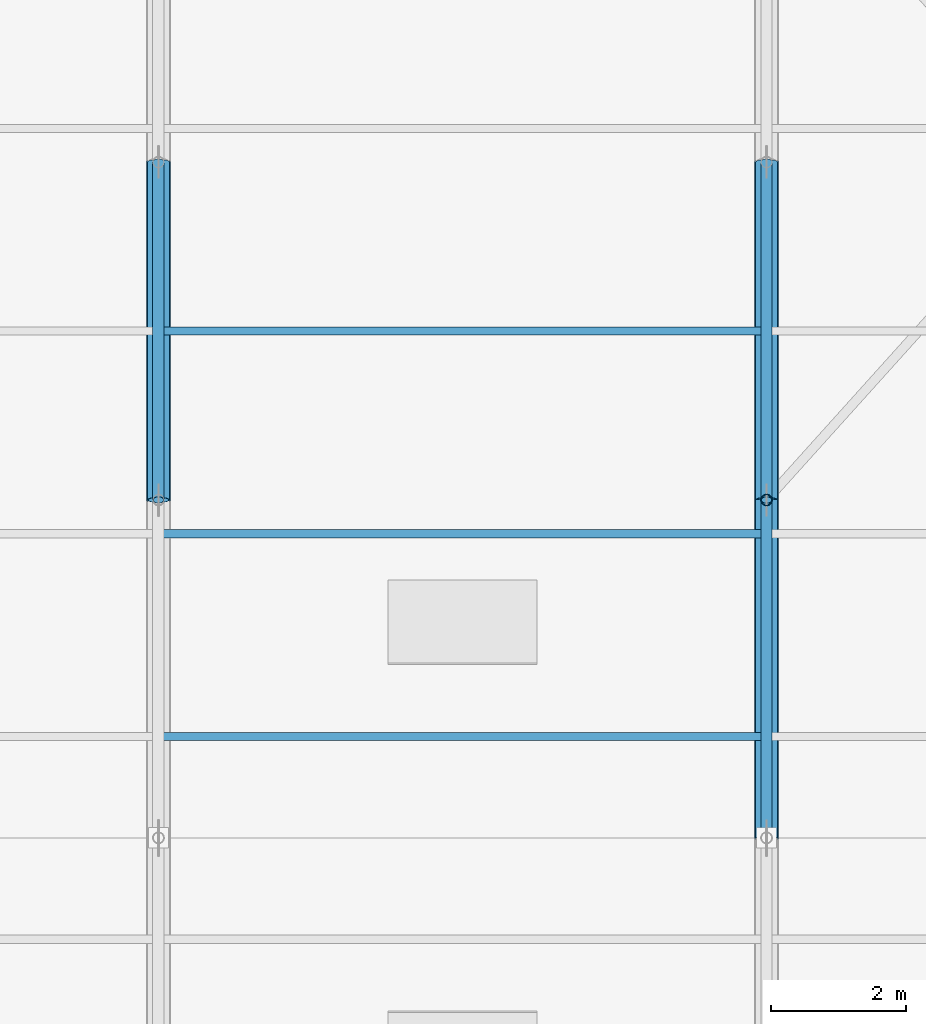
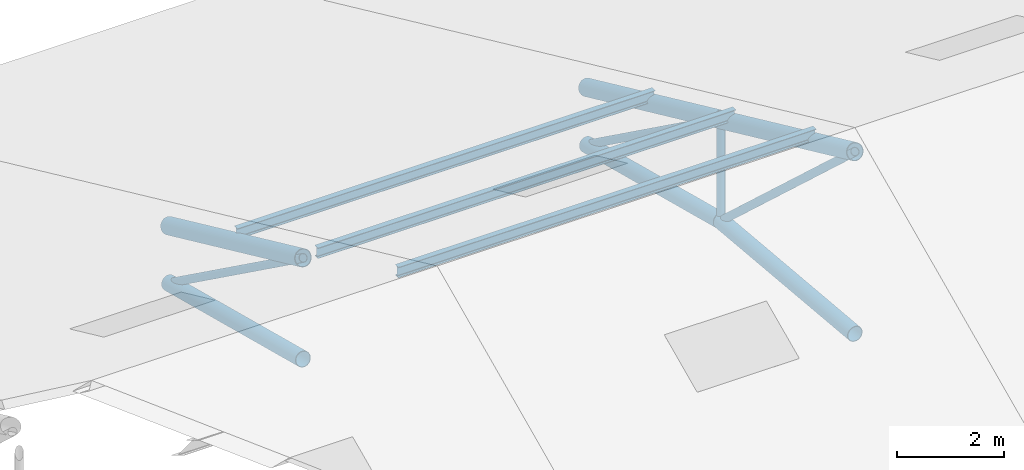
# One storey, part 36 of 107: 13 members.
"""IFC4 building model written with IfcOpenShell, lengths in metres."""

from ifc_helpers import new_model, si_unit, derived_unit, direction, frame, origin, origin_2d, place, context, subcontext, project, spatial, hollow_circle, i_section, extrude, material, material_profile, profile_set, type_object, element, save


model = new_model("IFC4")

# Units and contexts
model_context = context("Model", 3, precision=1e-05, world=origin(), true_north=direction((0.0, 1.0)))
body_context = subcontext(model_context, "Body", "Model", "MODEL_VIEW")
ifc_project = project(units=[si_unit("LENGTHUNIT", "METRE"), si_unit("AREAUNIT", "SQUARE_METRE"), si_unit("VOLUMEUNIT", "CUBIC_METRE"), si_unit("PLANEANGLEUNIT", "RADIAN"), si_unit("MASSUNIT", "GRAM", prefix="KILO"), si_unit("THERMODYNAMICTEMPERATUREUNIT", "KELVIN"), si_unit("TIMEUNIT", "SECOND"), derived_unit("THERMALTRANSMITTANCEUNIT", [(si_unit("MASSUNIT", "GRAM", prefix="KILO"), 1), (si_unit("THERMODYNAMICTEMPERATUREUNIT", "KELVIN"), -1), (si_unit("TIMEUNIT", "SECOND"), -3)])], contexts=[model_context])

# Site, building, storey
site_placement = place(None, origin())
site = spatial("IfcSite", under=ifc_project, at=site_placement, CompositionType="ELEMENT")
building_placement = place(site_placement, origin())
building = spatial("IfcBuilding", under=site, at=building_placement, Name="Cambertide Market Hall", CompositionType="ELEMENT")
storey_placement = place(building_placement, frame((0.0, 0.0, 18.300048828125)))
storey = spatial("IfcBuildingStorey", under=building, at=storey_placement, Name="RF", CompositionType="ELEMENT", Elevation=18.300048828125)

# Members
ifc_material_1 = material(Name="Steel S355", Category="steel")
ifc_material_profile_1 = material_profile(ifc_material_1, hollow_circle(Radius=0.161865234375, WallThickness=0.010009765625, at=origin_2d()), Name="CHS 323.9x10")
ifc_profile_set_1 = profile_set([ifc_material_profile_1], Name="Steel S355")
member_type_1 = type_object("IfcMemberType", Name="Arched Truss Chord CHS 323.9x10", PredefinedType="CHORD", material=ifc_profile_set_1)
member_1_placement = place(storey_placement, frame((87.0, 77.0, -4.955322265625), z_axis=(0.0, 0.968015607618, -0.250889982678), x_axis=(-1.0, 0.0, 0.0)))
element("IfcMember", 1, at=member_1_placement, inside=storey, type_object=member_type_1, Name="Roof Truss 6 Arched Bottom Chord 6", PredefinedType="CHORD", context=body_context, shape_type="SweptSolid", body=[
    extrude(hollow_circle(Radius=0.161865234375, WallThickness=0.010009765625, at=origin_2d()), origin(), (0.0, 0.0, 1.0), 5.165283203125),
])
member_2_placement = place(storey_placement, frame((96.0, 72.0, -4.5), z_axis=(0.0, 0.9958792443, -0.090689198761), x_axis=(-1.0, 0.0, 0.0)))
element("IfcMember", 2, at=member_2_placement, inside=storey, type_object=member_type_1, Name="Roof Truss 7 Arched Bottom Chord 5", PredefinedType="CHORD", context=body_context, shape_type="SweptSolid", body=[
    extrude(hollow_circle(Radius=0.161865234375, WallThickness=0.010009765625, at=origin_2d()), origin(), (0.0, 0.0, 1.0), 5.020751953125),
])
member_3_placement = place(storey_placement, frame((96.0, 77.0, -4.955322265625), z_axis=(0.0, 0.968015607618, -0.250889982678), x_axis=(-1.0, 0.0, 0.0)))
element("IfcMember", 3, at=member_3_placement, inside=storey, type_object=member_type_1, Name="Roof Truss 7 Arched Bottom Chord 6", PredefinedType="CHORD", context=body_context, shape_type="SweptSolid", body=[
    extrude(hollow_circle(Radius=0.161865234375, WallThickness=0.010009765625, at=origin_2d()), origin(), (0.0, 0.0, 1.0), 5.165283203125),
])
ifc_material_2 = material(Name="Steel S355", Category="steel")
ifc_material_profile_2 = material_profile(ifc_material_2, hollow_circle(Radius=0.177734375, WallThickness=0.012451171875, at=origin_2d()), Name="CHS 355.6x12.5")
ifc_profile_set_2 = profile_set([ifc_material_profile_2], Name="Steel S355")
member_type_2 = type_object("IfcMemberType", Name="Arched Truss Chord CHS 355.6x12.5", PredefinedType="CHORD", material=ifc_profile_set_2)
for number, where, z_axis, x_axis, name in (
    (4, (87.0, 77.0, -2.650146484375), (0.0, 0.908503925861, -0.417876317461), (-1.0, 0.0, 0.0), "Roof Truss 6 Top Chord 6"),
    (5, (96.0, 72.0, -0.35009765625), (0.0, 0.908487084298, -0.417912930721), (-1.0, 0.0, 0.0), "Roof Truss 7 Top Chord 5"),
    (6, (96.0, 77.0, -2.650146484375), (0.0, 0.908503925861, -0.417876317461), (-1.0, 0.0, 0.0), "Roof Truss 7 Top Chord 6"),
):
    element("IfcMember", number, at=place(storey_placement, frame(where, z_axis=z_axis, x_axis=x_axis)), inside=storey, type_object=member_type_2, Name=name, PredefinedType="CHORD", context=body_context, shape_type="SweptSolid", body=[
        extrude(hollow_circle(Radius=0.177734375, WallThickness=0.012451171875, at=origin_2d()), origin(), (0.0, 0.0, 1.0), 5.503662109375),
    ])
ifc_material_3 = material(Name="Steel S275", Category="steel")
ifc_material_profile_3 = material_profile(ifc_material_3, i_section(OverallWidth=0.1201171875, OverallDepth=0.239990234375, WebThickness=0.006103515625, FlangeThickness=0.009765625, FilletRadius=0.014892578125, at=origin_2d()), Name="IPE 240")
ifc_profile_set_3 = profile_set([ifc_material_profile_3], Name="Steel S275")
member_type_3 = type_object("IfcMemberType", Name="Roof Purlin IPE 240", PredefinedType="PURLIN", material=ifc_profile_set_3)
for number, where, z_axis, x_axis, name in (
    (7, (87.0, 73.5, -0.830078125), (1.0, 0.0, 0.0), (0.0, 1.0, 0.0), "Barrel Roof Purlin 6-09"),
    (8, (87.0, 76.5, -2.2099609375), (1.0, 0.0, 0.0), (0.0, 1.0, 0.0), "Barrel Roof Purlin 6-10"),
    (9, (87.0, 79.5, -3.590087890625), (1.0, 0.0, 0.0), (0.0, 1.0, 0.0), "Barrel Roof Purlin 6-11"),
):
    element("IfcMember", number, at=place(storey_placement, frame(where, z_axis=z_axis, x_axis=x_axis)), inside=storey, type_object=member_type_3, Name=name, PredefinedType="PURLIN", context=body_context, shape_type="SweptSolid", body=[
        extrude(i_section(OverallWidth=0.1201171875, OverallDepth=0.239990234375, WebThickness=0.006103515625, FlangeThickness=0.009765625, FilletRadius=0.014892578125, at=origin_2d()), origin(), (0.0, 0.0, 1.0), 9.0),
    ])
ifc_material_4 = material(Name="Steel S355", Category="steel")
ifc_material_profile_4 = material_profile(ifc_material_4, hollow_circle(Radius=0.084228515625, WallThickness=0.00634765625, at=origin_2d()), Name="CHS 168.3x6.3")
ifc_profile_set_4 = profile_set([ifc_material_profile_4], Name="Steel S355")
member_type_4 = type_object("IfcMemberType", Name="Structural Brace CHS 168.3x6.3", PredefinedType="BRACE", material=ifc_profile_set_4)
member_4_placement = place(storey_placement, frame((87.0, 77.0, -2.650146484375), z_axis=(0.0, 0.811451666424, -0.584419535144), x_axis=(-1.0, 0.0, 0.0)))
element("IfcMember", 10, at=member_4_placement, inside=storey, type_object=member_type_4, Name="Roof Truss 6 Web Diagonal 6", PredefinedType="BRACE", context=body_context, shape_type="SweptSolid", body=[
    extrude(hollow_circle(Radius=0.084228515625, WallThickness=0.00634765625, at=origin_2d()), origin(), (0.0, 0.0, 1.0), 6.161865234375),
])
member_5_placement = place(storey_placement, frame((96.0, 72.0, -0.35009765625), z_axis=(0.0, 0.73554793102, -0.677472686662), x_axis=(-1.0, 0.0, 0.0)))
element("IfcMember", 11, at=member_5_placement, inside=storey, type_object=member_type_4, Name="Roof Truss 7 Web Diagonal 5", PredefinedType="BRACE", context=body_context, shape_type="SweptSolid", body=[
    extrude(hollow_circle(Radius=0.084228515625, WallThickness=0.00634765625, at=origin_2d()), origin(), (0.0, 0.0, 1.0), 6.797607421875),
])
member_6_placement = place(storey_placement, frame((96.0, 77.0, -2.650146484375), z_axis=(0.0, 0.811451666424, -0.584419535144), x_axis=(-1.0, 0.0, 0.0)))
element("IfcMember", 12, at=member_6_placement, inside=storey, type_object=member_type_4, Name="Roof Truss 7 Web Diagonal 6", PredefinedType="BRACE", context=body_context, shape_type="SweptSolid", body=[
    extrude(hollow_circle(Radius=0.084228515625, WallThickness=0.00634765625, at=origin_2d()), origin(), (0.0, 0.0, 1.0), 6.161865234375),
])
member_7_placement = place(storey_placement, frame((96.0, 77.0, -4.955322265625), z_axis=(0.0, 0.0, 1.0), x_axis=(1.0, 0.0, 0.0)))
element("IfcMember", 13, at=member_7_placement, inside=storey, type_object=member_type_4, Name="Roof Truss 7 Web Post 6", PredefinedType="BRACE", context=body_context, shape_type="SweptSolid", body=[
    extrude(hollow_circle(Radius=0.084228515625, WallThickness=0.00634765625, at=origin_2d()), origin(), (0.0, 0.0, 1.0), 2.30517578125),
])

save(model, "model.ifc")
